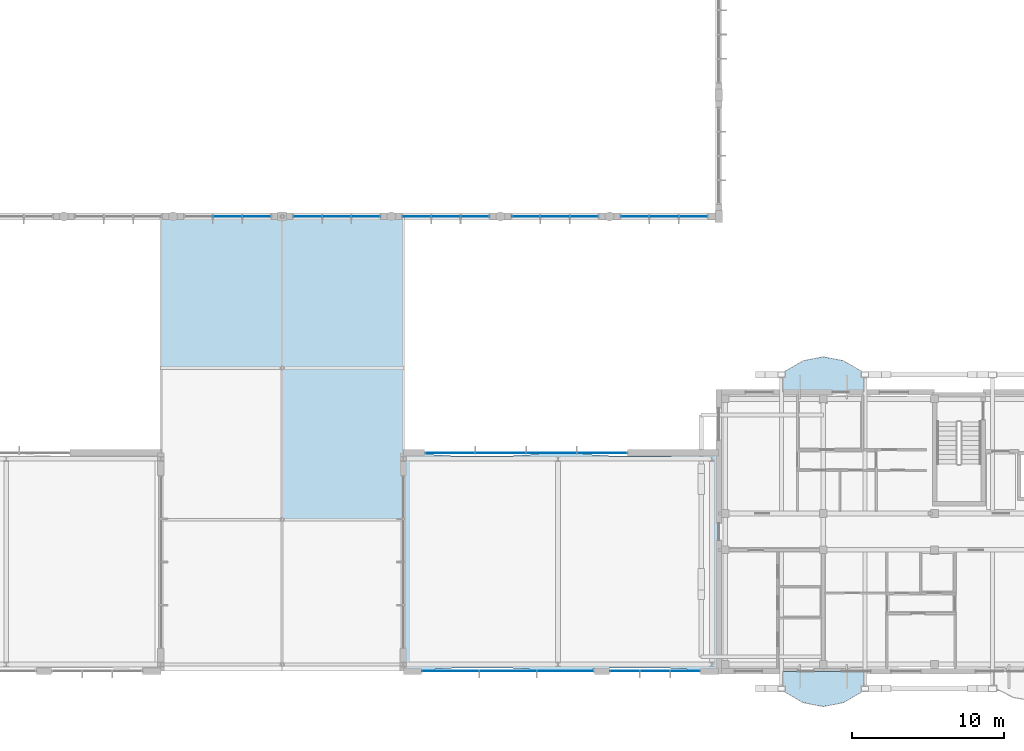
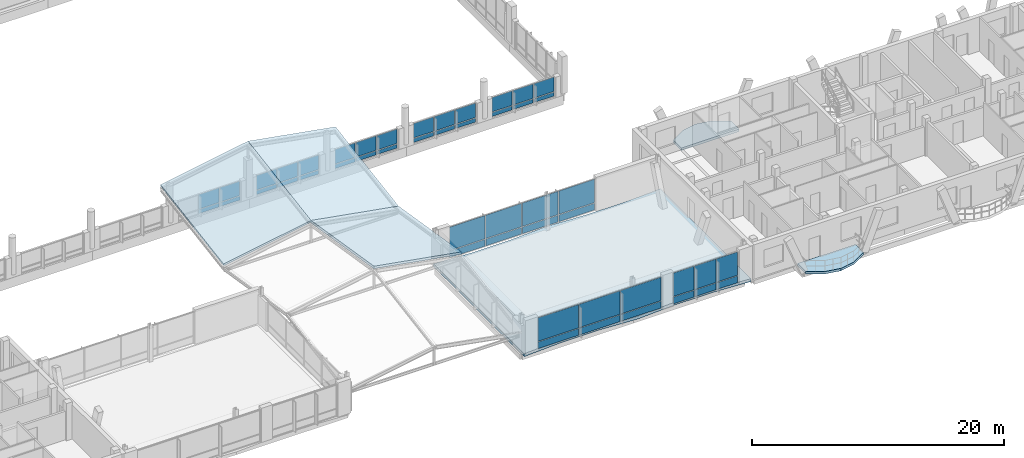
# One storey, part 126 of 189: 48 plates, 6 slabs, 8 elements without a shape of their own.
"""IFC4 building model written with IfcOpenShell, lengths in metres."""

import ifcopenshell
import ifcopenshell.guid

model = None  # the IFC model being written
_history = None  # IfcOwnerHistory: only IFC2X3 demands one
_inside = {}  # id of a spatial element -> (the spatial element, [elements in it])
_under = {}  # id of a project, library or spatial element -> (it, [spatial elements below it])
_declared = {}  # id of a project -> (the project, [libraries it declares])
_typed = {}  # id of a type object -> (the type object, [elements of that type])
_made_of = {}  # id of a material, layer set ... -> (it, [elements and type objects made of it])


def new_model(schema):
    """Start an empty IFC model of exactly this schema.

    Asked for "IFC4X3", IfcOpenShell would pick the latest addendum, in which some entities
    have other attributes; the version numbers below select the first issue.
    IFC2X3 requires an IfcOwnerHistory on every rooted entity: one is made here for all.
    """
    global model, _history
    if schema == "IFC4X3":
        model = ifcopenshell.file(schema_version=(4, 3, 0, 0))
    else:
        model = ifcopenshell.file(schema=schema)
    _inside.clear()
    _under.clear()
    _declared.clear()
    _typed.clear()
    _made_of.clear()
    _history = None
    if model.schema == "IFC2X3":
        org = make("IfcOrganization", Name="unknown")
        user = make(
            "IfcPersonAndOrganization",
            ThePerson=make("IfcPerson", FamilyName="unknown"),
            TheOrganization=org,
        )
        app = make(
            "IfcApplication",
            ApplicationDeveloper=org,
            Version="unknown",
            ApplicationFullName="unknown",
            ApplicationIdentifier="unknown",
        )
        _history = make(
            "IfcOwnerHistory",
            OwningUser=user,
            OwningApplication=app,
            ChangeAction="ADDED",
            CreationDate=0,
        )
    return model


def make(cls, **values):
    """One entity of the class cls with the attributes given. An attribute that is None is left unset."""
    return model.create_entity(
        cls, **{name: value for name, value in values.items() if value is not None}
    )


def rooted(cls, **values):
    """An entity with a GlobalId (a new one), such as an element, a storey or a relation."""
    return make(cls, GlobalId=ifcopenshell.guid.new(), OwnerHistory=_history, **values)


def si_unit(unit_type, name, prefix=None):
    """IfcSIUnit, for example si_unit("LENGTHUNIT", "METRE", prefix="MILLI")."""
    return make("IfcSIUnit", UnitType=unit_type, Prefix=prefix, Name=name)


def assignment(units):
    """IfcUnitAssignment: the units of a project."""
    return None if units is None else make("IfcUnitAssignment", Units=units)


def point(xyz):
    """IfcCartesianPoint."""
    return None if xyz is None else make("IfcCartesianPoint", Coordinates=xyz)


def direction(xyz):
    """IfcDirection."""
    return None if xyz is None else make("IfcDirection", DirectionRatios=xyz)


def frame(location, z_axis=None, x_axis=None):
    """IfcAxis2Placement3D, a coordinate frame: its origin and axes. An axis left out is left unset."""
    return make(
        "IfcAxis2Placement3D",
        Location=point(location),
        Axis=direction(z_axis),
        RefDirection=direction(x_axis),
    )


def frame_2d(location, x_axis=None):
    """IfcAxis2Placement2D, a coordinate frame in the plane: its origin and x axis."""
    return make(
        "IfcAxis2Placement2D", Location=point(location), RefDirection=direction(x_axis)
    )


def origin():
    """The frame at (0, 0, 0) with its axes left unset."""
    return frame((0.0, 0.0, 0.0))


def origin_2d():
    """The frame at (0, 0) in the plane with its x axis left unset."""
    return frame_2d((0.0, 0.0))


def place(relative_to, where):
    """IfcLocalPlacement: puts the frame where relative to a parent placement (None: the world)."""
    return make(
        "IfcLocalPlacement", PlacementRelTo=relative_to, RelativePlacement=where
    )


def context(
    kind, dimensions, precision=None, world=None, true_north=None, identifier=None
):
    """IfcGeometricRepresentationContext, for example the 3D "Model" context."""
    return make(
        "IfcGeometricRepresentationContext",
        ContextIdentifier=identifier,
        ContextType=kind,
        CoordinateSpaceDimension=dimensions,
        Precision=precision,
        WorldCoordinateSystem=world,
        TrueNorth=true_north,
    )


def subcontext(parent, identifier, kind, view, scale=None):
    """IfcGeometricRepresentationSubContext, for example "Body" below "Model"."""
    return make(
        "IfcGeometricRepresentationSubContext",
        ContextIdentifier=identifier,
        ContextType=kind,
        ParentContext=parent,
        TargetScale=scale,
        TargetView=view,
    )


def project(units=None, contexts=None):
    """IfcProject with its units and contexts."""
    return rooted(
        "IfcProject",
        Name="project",
        RepresentationContexts=contexts,
        UnitsInContext=assignment(units),
    )


def spatial(cls, under=None, at=None, **own):
    """A site, building, storey or space (cls), placed at a placement, below another one or the project."""
    s = rooted(cls, ObjectPlacement=at, **own)
    if under is not None:
        _under.setdefault(under.id(), (under, []))[1].append(s)
    return s


def polyline(points):
    """IfcPolyline through the points."""
    return make("IfcPolyline", Points=[point(p) for p in points])


def profile(cls, at=None, kind="AREA", **sizes):
    """A parametric profile (cls). Its sizes go by their IFC names, for example OverallWidth=200.0."""
    return make(cls, ProfileType=kind, Position=at, **sizes)


def rectangle(**sizes):
    """IfcRectangleProfileDef."""
    return profile("IfcRectangleProfileDef", **sizes)


def outline(outer, holes=None, kind="AREA"):
    """IfcArbitraryClosedProfileDef: a profile drawn as a closed curve; with holes, ...WithVoids."""
    if holes is None:
        return make("IfcArbitraryClosedProfileDef", ProfileType=kind, OuterCurve=outer)
    return make(
        "IfcArbitraryProfileDefWithVoids",
        ProfileType=kind,
        OuterCurve=outer,
        InnerCurves=holes,
    )


def extrude(swept, where, along, depth):
    """IfcExtrudedAreaSolid: the profile swept, set in the frame where, extruded along a direction by depth."""
    return make(
        "IfcExtrudedAreaSolid",
        SweptArea=swept,
        Position=where,
        ExtrudedDirection=direction(along),
        Depth=depth,
    )


def shape(context_of_items, identifier, shape_type, items):
    """IfcShapeRepresentation: the items that make up one representation, for example the "Body"."""
    return make(
        "IfcShapeRepresentation",
        ContextOfItems=context_of_items,
        RepresentationIdentifier=identifier,
        RepresentationType=shape_type,
        Items=items,
    )


def material(Name=None, Category=None):
    """IfcMaterial."""
    return make("IfcMaterial", Name=Name, Category=Category)


def layer(
    of_material, thickness, ventilated=None, Name=None, Category=None, Priority=None
):
    """IfcMaterialLayer: one layer of a wall or slab, of a material (None: an air gap)."""
    return make(
        "IfcMaterialLayer",
        Material=of_material,
        LayerThickness=thickness,
        IsVentilated=ventilated,
        Name=Name,
        Category=Category,
        Priority=Priority,
    )


def layer_set(layers, Name=None):
    """IfcMaterialLayerSet."""
    return make("IfcMaterialLayerSet", MaterialLayers=layers, LayerSetName=Name)


def made_of(thing, what):
    """Note that an element or type object is made of a material, layer set ...; save() writes the relation."""
    if what is not None:
        _made_of.setdefault(what.id(), (what, []))[1].append(thing)
    return thing


def type_object(cls, material=None, **own):
    """A type object (cls), such as IfcWallType, which elements share."""
    return made_of(rooted(cls, **own), material)


def element(
    cls,
    number,
    at=None,
    inside=None,
    cuts=None,
    type_object=None,
    material=None,
    context=None,
    identifier="Body",
    shape_type=None,
    held_by="IfcProductDefinitionShape",
    body=None,
    shapes=None,
    **own,
):
    """One element of the class cls, such as IfcWall. Its Tag is "e" and its number.

    at: its placement. inside: the storey or other place that contains it. cuts: it is an
    opening in that element (IfcRelVoidsElement). A single representation is given by context,
    identifier, shape_type and body (its items); several are given by shapes. held_by: the class
    of the entity that holds the representations. save() writes the other relations.
    """
    e = rooted(cls, Tag="e%d" % number, ObjectPlacement=at, **own)
    if body is not None:
        shapes = [shape(context, identifier, shape_type, body)]
    if shapes is not None:
        e.Representation = make(held_by, Representations=shapes)
    if inside is not None:
        _inside.setdefault(inside.id(), (inside, []))[1].append(e)
    if cuts is not None:
        rooted(
            "IfcRelVoidsElement", RelatingBuildingElement=cuts, RelatedOpeningElement=e
        )
    if type_object is not None:
        _typed.setdefault(type_object.id(), (type_object, []))[1].append(e)
    return made_of(e, material)


def aggregate(whole, parts):
    """IfcRelAggregates: a whole, such as a stair, and the parts it consists of."""
    return rooted("IfcRelAggregates", RelatingObject=whole, RelatedObjects=parts)


def save(model, path):
    """Write the relations noted so far, then the file.

    IfcRelAggregates (storeys below a building ...), IfcRelContainedInSpatialStructure (elements
    in a storey), IfcRelDefinesByType, IfcRelAssociatesMaterial and IfcRelDeclares: one each for
    every whole, place, type object, material and project.
    """
    for whole, parts in _under.values():
        aggregate(whole, parts)
    for where, things in _inside.values():
        rooted(
            "IfcRelContainedInSpatialStructure",
            RelatedElements=things,
            RelatingStructure=where,
        )
    for kind, things in _typed.values():
        rooted("IfcRelDefinesByType", RelatedObjects=things, RelatingType=kind)
    for what, things in _made_of.values():
        rooted("IfcRelAssociatesMaterial", RelatedObjects=things, RelatingMaterial=what)
    for by, libraries in _declared.values():
        rooted("IfcRelDeclares", RelatingContext=by, RelatedDefinitions=libraries)
    model.write(path)


model = new_model("IFC4")

# Units and contexts
model_context = context("Model", 3, precision=1e-05, world=origin(), true_north=direction((0.0, 1.0)))
body_context = subcontext(model_context, "Body", "Model", "MODEL_VIEW")
ifc_project = project(units=[si_unit("LENGTHUNIT", "METRE"), si_unit("AREAUNIT", "SQUARE_METRE"), si_unit("VOLUMEUNIT", "CUBIC_METRE"), si_unit("PLANEANGLEUNIT", "RADIAN"), si_unit("MASSUNIT", "GRAM", prefix="KILO")], contexts=[model_context])

# Site, building, storey
site_placement = place(None, origin())
site = spatial("IfcSite", under=ifc_project, at=site_placement, CompositionType="ELEMENT")
building_placement = place(site_placement, origin())
building = spatial("IfcBuilding", under=site, at=building_placement, Name="Zavelmont Quarter", CompositionType="ELEMENT")
storey_placement = place(building_placement, frame((0.0, 0.0, 4.39990234375)))
storey = spatial("IfcBuildingStorey", under=building, at=storey_placement, Name="L01", CompositionType="ELEMENT", Elevation=4.39990234375)

# Curtain wall, plate
ifc_material_1 = material(Name="Thermally broken aluminium and double low-E safety glazing", Category="aluminium")
curtain_wall_type_1 = type_object("IfcCurtainWallType", Name="CW-580X198", PredefinedType="NOTDEFINED", material=ifc_material_1)
curtain_wall_1_placement = place(storey_placement, origin())
curtain_wall_1 = element("IfcCurtainWall", 1, at=curtain_wall_1_placement, inside=storey, type_object=curtain_wall_type_1, Name="L01 unitised curtain wall CW-580X198", PredefinedType="NOTDEFINED")
ifc_material_2 = material(Name="Insulated anodised-aluminium spandrel panel", Category="aluminium")
ifc_layer_1 = layer(ifc_material_2, 0.0400390625)
ifc_layer_set_1 = layer_set([ifc_layer_1], Name="Insulated anodised-aluminium spandrel panel")
plate_type_1 = type_object("IfcPlateType", Name="CWP-SPD-1830X370", PredefinedType="CURTAIN_PANEL", material=ifc_layer_set_1)
plate_1_placement = place(storey_placement, frame((82.31591796875, 30.0, -0.2099609375), z_axis=(0.0, 0.0, 1.0), x_axis=(1.0, 0.0, 0.0)))
plate_1 = element("IfcPlate", 2, at=plate_1_placement, type_object=plate_type_1, Name="CW-580X198 panel 3.1", PredefinedType="CURTAIN_PANEL", context=body_context, shape_type="SweptSolid", body=[
    extrude(rectangle(XDim=1.828369140625, YDim=0.0400390625, at=origin_2d()), origin(), (0.0, 0.0, 1.0), 0.368896484375),
])

# Curtain wall, plates
curtain_wall_2_placement = place(storey_placement, origin())
curtain_wall_2 = element("IfcCurtainWall", 3, at=curtain_wall_2_placement, inside=storey, type_object=curtain_wall_type_1, Name="L01 unitised curtain wall CW-580X198", PredefinedType="NOTDEFINED")
plate_2_placement = place(storey_placement, frame((85.68408203125, 30.0, -0.2099609375), z_axis=(0.0, 0.0, 1.0), x_axis=(1.0, 0.0, 0.0)))
plate_2 = element("IfcPlate", 4, at=plate_2_placement, type_object=plate_type_1, Name="CW-580X198 panel 1.1", PredefinedType="CURTAIN_PANEL", context=body_context, shape_type="SweptSolid", body=[
    extrude(rectangle(XDim=1.828369140625, YDim=0.0400390625, at=origin_2d()), origin(), (0.0, 0.0, 1.0), 0.368896484375),
])
plate_3_placement = place(storey_placement, frame((89.515869140625, 30.0, -0.2099609375), z_axis=(0.0, 0.0, 1.0), x_axis=(1.0, 0.0, 0.0)))
plate_3 = element("IfcPlate", 5, at=plate_3_placement, type_object=plate_type_1, Name="CW-580X198 panel 3.1", PredefinedType="CURTAIN_PANEL", context=body_context, shape_type="SweptSolid", body=[
    extrude(rectangle(XDim=1.828369140625, YDim=0.0400390625, at=origin_2d()), origin(), (0.0, 0.0, 1.0), 0.368896484375),
])

curtain_wall_3_placement = place(storey_placement, origin())
curtain_wall_3 = element("IfcCurtainWall", 6, at=curtain_wall_3_placement, inside=storey, type_object=curtain_wall_type_1, Name="L01 unitised curtain wall CW-580X198", PredefinedType="NOTDEFINED")
plate_4_placement = place(storey_placement, frame((92.88427734375, 30.0, -0.2099609375), z_axis=(0.0, 0.0, 1.0), x_axis=(1.0, 0.0, 0.0)))
plate_4 = element("IfcPlate", 7, at=plate_4_placement, type_object=plate_type_1, Name="CW-580X198 panel 1.1", PredefinedType="CURTAIN_PANEL", context=body_context, shape_type="SweptSolid", body=[
    extrude(rectangle(XDim=1.828369140625, YDim=0.0400390625, at=origin_2d()), origin(), (0.0, 0.0, 1.0), 0.368896484375),
])
plate_5_placement = place(storey_placement, frame((96.7158203125, 30.0, -0.2099609375), z_axis=(0.0, 0.0, 1.0), x_axis=(1.0, 0.0, 0.0)))
plate_5 = element("IfcPlate", 8, at=plate_5_placement, type_object=plate_type_1, Name="CW-580X198 panel 3.1", PredefinedType="CURTAIN_PANEL", context=body_context, shape_type="SweptSolid", body=[
    extrude(rectangle(XDim=1.828369140625, YDim=0.0400390625, at=origin_2d()), origin(), (0.0, 0.0, 1.0), 0.368896484375),
])

curtain_wall_4_placement = place(storey_placement, origin())
curtain_wall_4 = element("IfcCurtainWall", 9, at=curtain_wall_4_placement, inside=storey, type_object=curtain_wall_type_1, Name="L01 unitised curtain wall CW-580X198", PredefinedType="NOTDEFINED")
plate_6_placement = place(storey_placement, frame((100.084228515625, 30.0, -0.2099609375), z_axis=(0.0, 0.0, 1.0), x_axis=(1.0, 0.0, 0.0)))
plate_6 = element("IfcPlate", 10, at=plate_6_placement, type_object=plate_type_1, Name="CW-580X198 panel 1.1", PredefinedType="CURTAIN_PANEL", context=body_context, shape_type="SweptSolid", body=[
    extrude(rectangle(XDim=1.828369140625, YDim=0.0400390625, at=origin_2d()), origin(), (0.0, 0.0, 1.0), 0.368896484375),
])
plate_7_placement = place(storey_placement, frame((103.915771484375, 30.0, -0.2099609375), z_axis=(0.0, 0.0, 1.0), x_axis=(1.0, 0.0, 0.0)))
plate_7 = element("IfcPlate", 11, at=plate_7_placement, type_object=plate_type_1, Name="CW-580X198 panel 3.1", PredefinedType="CURTAIN_PANEL", context=body_context, shape_type="SweptSolid", body=[
    extrude(rectangle(XDim=1.828369140625, YDim=0.0400390625, at=origin_2d()), origin(), (0.0, 0.0, 1.0), 0.368896484375),
])

curtain_wall_5_placement = place(storey_placement, origin())
curtain_wall_5 = element("IfcCurtainWall", 12, at=curtain_wall_5_placement, inside=storey, type_object=curtain_wall_type_1, Name="L01 unitised curtain wall CW-580X198", PredefinedType="NOTDEFINED")
plate_8_placement = place(storey_placement, frame((107.2841796875, 30.0, -0.2099609375), z_axis=(0.0, 0.0, 1.0), x_axis=(1.0, 0.0, 0.0)))
plate_8 = element("IfcPlate", 13, at=plate_8_placement, type_object=plate_type_1, Name="CW-580X198 panel 1.1", PredefinedType="CURTAIN_PANEL", context=body_context, shape_type="SweptSolid", body=[
    extrude(rectangle(XDim=1.828369140625, YDim=0.0400390625, at=origin_2d()), origin(), (0.0, 0.0, 1.0), 0.368896484375),
])
plate_9_placement = place(storey_placement, frame((111.11572265625, 30.0, -0.2099609375), z_axis=(0.0, 0.0, 1.0), x_axis=(1.0, 0.0, 0.0)))
plate_9 = element("IfcPlate", 14, at=plate_9_placement, type_object=plate_type_1, Name="CW-580X198 panel 3.1", PredefinedType="CURTAIN_PANEL", context=body_context, shape_type="SweptSolid", body=[
    extrude(rectangle(XDim=1.828369140625, YDim=0.0400390625, at=origin_2d()), origin(), (0.0, 0.0, 1.0), 0.368896484375),
])

# Plate
ifc_layer_2 = layer(ifc_material_2, 0.0400390625)
ifc_layer_set_2 = layer_set([ifc_layer_2], Name="Insulated anodised-aluminium spandrel panel")
plate_type_2 = type_object("IfcPlateType", Name="CWP-SPD-1865X370", PredefinedType="CURTAIN_PANEL", material=ifc_layer_set_2)
plate_10_placement = place(storey_placement, frame((80.39990234375, 30.0, -0.2099609375), z_axis=(0.0, 0.0, 1.0), x_axis=(1.0, 0.0, 0.0)))
plate_10 = element("IfcPlate", 15, at=plate_10_placement, type_object=plate_type_2, Name="CW-580X198 panel 2.1", PredefinedType="CURTAIN_PANEL", context=body_context, shape_type="SweptSolid", body=[
    extrude(rectangle(XDim=1.86328125, YDim=0.0400390625, at=origin_2d()), origin(), (0.0, 0.0, 1.0), 0.368896484375),
])

plate_11_placement = place(storey_placement, frame((87.60009765625, 30.0, -0.2099609375), z_axis=(0.0, 0.0, 1.0), x_axis=(1.0, 0.0, 0.0)))
plate_11 = element("IfcPlate", 16, at=plate_11_placement, type_object=plate_type_2, Name="CW-580X198 panel 2.1", PredefinedType="CURTAIN_PANEL", context=body_context, shape_type="SweptSolid", body=[
    extrude(rectangle(XDim=1.86328125, YDim=0.0400390625, at=origin_2d()), origin(), (0.0, 0.0, 1.0), 0.368896484375),
])

plate_12_placement = place(storey_placement, frame((94.800048828125, 30.0, -0.2099609375), z_axis=(0.0, 0.0, 1.0), x_axis=(1.0, 0.0, 0.0)))
plate_12 = element("IfcPlate", 17, at=plate_12_placement, type_object=plate_type_2, Name="CW-580X198 panel 2.1", PredefinedType="CURTAIN_PANEL", context=body_context, shape_type="SweptSolid", body=[
    extrude(rectangle(XDim=1.86328125, YDim=0.0400390625, at=origin_2d()), origin(), (0.0, 0.0, 1.0), 0.368896484375),
])

plate_13_placement = place(storey_placement, frame((102.0, 30.0, -0.2099609375), z_axis=(0.0, 0.0, 1.0), x_axis=(1.0, 0.0, 0.0)))
plate_13 = element("IfcPlate", 18, at=plate_13_placement, type_object=plate_type_2, Name="CW-580X198 panel 2.1", PredefinedType="CURTAIN_PANEL", context=body_context, shape_type="SweptSolid", body=[
    extrude(rectangle(XDim=1.86328125, YDim=0.0400390625, at=origin_2d()), origin(), (0.0, 0.0, 1.0), 0.368896484375),
])

plate_14_placement = place(storey_placement, frame((109.199951171875, 30.0, -0.2099609375), z_axis=(0.0, 0.0, 1.0), x_axis=(1.0, 0.0, 0.0)))
plate_14 = element("IfcPlate", 19, at=plate_14_placement, type_object=plate_type_2, Name="CW-580X198 panel 2.1", PredefinedType="CURTAIN_PANEL", context=body_context, shape_type="SweptSolid", body=[
    extrude(rectangle(XDim=1.86328125, YDim=0.0400390625, at=origin_2d()), origin(), (0.0, 0.0, 1.0), 0.368896484375),
])

# Curtain wall, plates
curtain_wall_type_2 = type_object("IfcCurtainWallType", Name="CW-600X310", PredefinedType="NOTDEFINED", material=ifc_material_1)
curtain_wall_6_placement = place(storey_placement, origin())
curtain_wall_6 = element("IfcCurtainWall", 20, at=curtain_wall_6_placement, inside=storey, type_object=curtain_wall_type_2, Name="L01 unitised curtain wall CW-600X310", PredefinedType="NOTDEFINED")
ifc_layer_3 = layer(ifc_material_2, 0.0400390625)
ifc_layer_set_3 = layer_set([ifc_layer_3], Name="Insulated anodised-aluminium spandrel panel")
plate_type_3 = type_object("IfcPlateType", Name="CWP-SPD-1910X655", PredefinedType="CURTAIN_PANEL", material=ifc_layer_set_3)
plate_15_placement = place(storey_placement, frame((106.614990234375, 0.0, 0.06005859375), z_axis=(0.0, 0.0, 1.0), x_axis=(1.0, 0.0, 0.0)))
plate_15 = element("IfcPlate", 21, at=plate_15_placement, type_object=plate_type_3, Name="CW-600X310 panel 1.1", PredefinedType="CURTAIN_PANEL", context=body_context, shape_type="SweptSolid", body=[
    extrude(rectangle(XDim=1.909912109375, YDim=0.0400390625, at=origin_2d()), origin(), (0.0, 0.0, 1.0), 0.654052734375),
])
plate_16_placement = place(storey_placement, frame((110.5849609375, 0.0, 0.06005859375), z_axis=(0.0, 0.0, 1.0), x_axis=(1.0, 0.0, 0.0)))
plate_16 = element("IfcPlate", 22, at=plate_16_placement, type_object=plate_type_3, Name="CW-600X310 panel 3.1", PredefinedType="CURTAIN_PANEL", context=body_context, shape_type="SweptSolid", body=[
    extrude(rectangle(XDim=1.909912109375, YDim=0.0400390625, at=origin_2d()), origin(), (0.0, 0.0, 1.0), 0.654052734375),
])
ifc_layer_4 = layer(ifc_material_2, 0.0400390625)
ifc_layer_set_4 = layer_set([ifc_layer_4], Name="Insulated anodised-aluminium spandrel panel")
plate_type_4 = type_object("IfcPlateType", Name="CWP-SPD-1940X655", PredefinedType="CURTAIN_PANEL", material=ifc_layer_set_4)
plate_17_placement = place(storey_placement, frame((108.60009765625, 0.0, 0.06005859375), z_axis=(0.0, 0.0, 1.0), x_axis=(1.0, 0.0, 0.0)))
plate_17 = element("IfcPlate", 23, at=plate_17_placement, type_object=plate_type_4, Name="CW-600X310 panel 2.1", PredefinedType="CURTAIN_PANEL", context=body_context, shape_type="SweptSolid", body=[
    extrude(rectangle(XDim=1.93994140625, YDim=0.0400390625, at=origin_2d()), origin(), (0.0, 0.0, 1.0), 0.654052734375),
])

curtain_wall_type_3 = type_object("IfcCurtainWallType", Name="CW-1340X310", PredefinedType="NOTDEFINED", material=ifc_material_1)
curtain_wall_7_placement = place(storey_placement, origin())
curtain_wall_7 = element("IfcCurtainWall", 24, at=curtain_wall_7_placement, inside=storey, type_object=curtain_wall_type_3, Name="L01 unitised curtain wall CW-1340X310", PredefinedType="NOTDEFINED")
ifc_layer_5 = layer(ifc_material_2, 0.0400390625)
ifc_layer_set_5 = layer_set([ifc_layer_5], Name="Insulated anodised-aluminium spandrel panel")
plate_type_5 = type_object("IfcPlateType", Name="CWP-SPD-3260X655", PredefinedType="CURTAIN_PANEL", material=ifc_layer_set_5)
plate_18_placement = place(storey_placement, frame((95.090087890625, 14.39990234375, 0.06005859375), z_axis=(0.0, 0.0, 1.0), x_axis=(1.0, 0.0, 0.0)))
plate_18 = element("IfcPlate", 25, at=plate_18_placement, type_object=plate_type_5, Name="CW-1340X310 panel 1.1", PredefinedType="CURTAIN_PANEL", context=body_context, shape_type="SweptSolid", body=[
    extrude(rectangle(XDim=3.260009765625, YDim=0.0400390625, at=origin_2d()), origin(), (0.0, 0.0, 1.0), 0.654052734375),
])
plate_19_placement = place(storey_placement, frame((105.110107421875, 14.39990234375, 0.06005859375), z_axis=(0.0, 0.0, 1.0), x_axis=(1.0, 0.0, 0.0)))
plate_19 = element("IfcPlate", 26, at=plate_19_placement, type_object=plate_type_5, Name="CW-1340X310 panel 4.1", PredefinedType="CURTAIN_PANEL", context=body_context, shape_type="SweptSolid", body=[
    extrude(rectangle(XDim=3.260009765625, YDim=0.0400390625, at=origin_2d()), origin(), (0.0, 0.0, 1.0), 0.654052734375),
])
ifc_layer_6 = layer(ifc_material_2, 0.0400390625)
ifc_layer_set_6 = layer_set([ifc_layer_6], Name="Insulated anodised-aluminium spandrel panel")
plate_type_6 = type_object("IfcPlateType", Name="CWP-SPD-3290X655", PredefinedType="CURTAIN_PANEL", material=ifc_layer_set_6)
plate_20_placement = place(storey_placement, frame((98.425048828125, 14.39990234375, 0.06005859375), z_axis=(0.0, 0.0, 1.0), x_axis=(1.0, 0.0, 0.0)))
plate_20 = element("IfcPlate", 27, at=plate_20_placement, type_object=plate_type_6, Name="CW-1340X310 panel 2.1", PredefinedType="CURTAIN_PANEL", context=body_context, shape_type="SweptSolid", body=[
    extrude(rectangle(XDim=3.2900390625, YDim=0.0400390625, at=origin_2d()), origin(), (0.0, 0.0, 1.0), 0.654052734375),
])
plate_21_placement = place(storey_placement, frame((101.77490234375, 14.39990234375, 0.06005859375), z_axis=(0.0, 0.0, 1.0), x_axis=(1.0, 0.0, 0.0)))
plate_21 = element("IfcPlate", 28, at=plate_21_placement, type_object=plate_type_6, Name="CW-1340X310 panel 3.1", PredefinedType="CURTAIN_PANEL", context=body_context, shape_type="SweptSolid", body=[
    extrude(rectangle(XDim=3.2900390625, YDim=0.0400390625, at=origin_2d()), origin(), (0.0, 0.0, 1.0), 0.654052734375),
])

curtain_wall_type_4 = type_object("IfcCurtainWallType", Name="CW-1140X310", PredefinedType="NOTDEFINED", material=ifc_material_1)
curtain_wall_8_placement = place(storey_placement, origin())
curtain_wall_8 = element("IfcCurtainWall", 29, at=curtain_wall_8_placement, inside=storey, type_object=curtain_wall_type_4, Name="L01 unitised curtain wall CW-1140X310", PredefinedType="NOTDEFINED")
ifc_layer_7 = layer(ifc_material_2, 0.0400390625)
ifc_layer_set_7 = layer_set([ifc_layer_7], Name="Insulated anodised-aluminium spandrel panel")
plate_type_7 = type_object("IfcPlateType", Name="CWP-SPD-3710X655", PredefinedType="CURTAIN_PANEL", material=ifc_layer_set_7)
plate_22_placement = place(storey_placement, frame((95.114990234375, 0.0, 0.06005859375), z_axis=(0.0, 0.0, 1.0), x_axis=(1.0, 0.0, 0.0)))
plate_22 = element("IfcPlate", 30, at=plate_22_placement, type_object=plate_type_7, Name="CW-1140X310 panel 1.1", PredefinedType="CURTAIN_PANEL", context=body_context, shape_type="SweptSolid", body=[
    extrude(rectangle(XDim=3.7099609375, YDim=0.0400390625, at=origin_2d()), origin(), (0.0, 0.0, 1.0), 0.654052734375),
])
plate_23_placement = place(storey_placement, frame((102.68505859375, 0.0, 0.06005859375), z_axis=(0.0, 0.0, 1.0), x_axis=(1.0, 0.0, 0.0)))
plate_23 = element("IfcPlate", 31, at=plate_23_placement, type_object=plate_type_7, Name="CW-1140X310 panel 3.1", PredefinedType="CURTAIN_PANEL", context=body_context, shape_type="SweptSolid", body=[
    extrude(rectangle(XDim=3.7099609375, YDim=0.0400390625, at=origin_2d()), origin(), (0.0, 0.0, 1.0), 0.654052734375),
])
ifc_layer_8 = layer(ifc_material_2, 0.0400390625)
ifc_layer_set_8 = layer_set([ifc_layer_8], Name="Insulated anodised-aluminium spandrel panel")
plate_type_8 = type_object("IfcPlateType", Name="CWP-SPD-3740X655", PredefinedType="CURTAIN_PANEL", material=ifc_layer_set_8)
plate_24_placement = place(storey_placement, frame((98.89990234375, 0.0, 0.06005859375), z_axis=(0.0, 0.0, 1.0), x_axis=(1.0, 0.0, 0.0)))
plate_24 = element("IfcPlate", 32, at=plate_24_placement, type_object=plate_type_8, Name="CW-1140X310 panel 2.1", PredefinedType="CURTAIN_PANEL", context=body_context, shape_type="SweptSolid", body=[
    extrude(rectangle(XDim=3.739990234375, YDim=0.0400390625, at=origin_2d()), origin(), (0.0, 0.0, 1.0), 0.654052734375),
])

# Plate
ifc_material_3 = material(Name="Double low-E insulated vision glass", Category="glass")
ifc_layer_9 = layer(ifc_material_3, 0.028076171875)
ifc_layer_set_9 = layer_set([ifc_layer_9], Name="Double low-E insulated vision glass")
plate_type_9 = type_object("IfcPlateType", Name="CWP-VIS-1830X1395", PredefinedType="CURTAIN_PANEL", material=ifc_layer_set_9)
plate_25_placement = place(storey_placement, frame((82.31591796875, 30.0, 0.22900390625), z_axis=(0.0, 0.0, 1.0), x_axis=(1.0, 0.0, 0.0)))
plate_25 = element("IfcPlate", 33, at=plate_25_placement, type_object=plate_type_9, Name="CW-580X198 panel 3.2", PredefinedType="CURTAIN_PANEL", context=body_context, shape_type="SweptSolid", body=[
    extrude(rectangle(XDim=1.828369140625, YDim=0.028076171875, at=origin_2d()), origin(), (0.0, 0.0, 1.0), 1.39599609375),
])

plate_26_placement = place(storey_placement, frame((85.68408203125, 30.0, 0.22900390625), z_axis=(0.0, 0.0, 1.0), x_axis=(1.0, 0.0, 0.0)))
plate_26 = element("IfcPlate", 34, at=plate_26_placement, type_object=plate_type_9, Name="CW-580X198 panel 1.2", PredefinedType="CURTAIN_PANEL", context=body_context, shape_type="SweptSolid", body=[
    extrude(rectangle(XDim=1.828369140625, YDim=0.028076171875, at=origin_2d()), origin(), (0.0, 0.0, 1.0), 1.39599609375),
])

plate_27_placement = place(storey_placement, frame((89.515869140625, 30.0, 0.22900390625), z_axis=(0.0, 0.0, 1.0), x_axis=(1.0, 0.0, 0.0)))
plate_27 = element("IfcPlate", 35, at=plate_27_placement, type_object=plate_type_9, Name="CW-580X198 panel 3.2", PredefinedType="CURTAIN_PANEL", context=body_context, shape_type="SweptSolid", body=[
    extrude(rectangle(XDim=1.828369140625, YDim=0.028076171875, at=origin_2d()), origin(), (0.0, 0.0, 1.0), 1.39599609375),
])

plate_28_placement = place(storey_placement, frame((92.88427734375, 30.0, 0.22900390625), z_axis=(0.0, 0.0, 1.0), x_axis=(1.0, 0.0, 0.0)))
plate_28 = element("IfcPlate", 36, at=plate_28_placement, type_object=plate_type_9, Name="CW-580X198 panel 1.2", PredefinedType="CURTAIN_PANEL", context=body_context, shape_type="SweptSolid", body=[
    extrude(rectangle(XDim=1.828369140625, YDim=0.028076171875, at=origin_2d()), origin(), (0.0, 0.0, 1.0), 1.39599609375),
])

plate_29_placement = place(storey_placement, frame((96.7158203125, 30.0, 0.22900390625), z_axis=(0.0, 0.0, 1.0), x_axis=(1.0, 0.0, 0.0)))
plate_29 = element("IfcPlate", 37, at=plate_29_placement, type_object=plate_type_9, Name="CW-580X198 panel 3.2", PredefinedType="CURTAIN_PANEL", context=body_context, shape_type="SweptSolid", body=[
    extrude(rectangle(XDim=1.828369140625, YDim=0.028076171875, at=origin_2d()), origin(), (0.0, 0.0, 1.0), 1.39599609375),
])

plate_30_placement = place(storey_placement, frame((100.084228515625, 30.0, 0.22900390625), z_axis=(0.0, 0.0, 1.0), x_axis=(1.0, 0.0, 0.0)))
plate_30 = element("IfcPlate", 38, at=plate_30_placement, type_object=plate_type_9, Name="CW-580X198 panel 1.2", PredefinedType="CURTAIN_PANEL", context=body_context, shape_type="SweptSolid", body=[
    extrude(rectangle(XDim=1.828369140625, YDim=0.028076171875, at=origin_2d()), origin(), (0.0, 0.0, 1.0), 1.39599609375),
])

plate_31_placement = place(storey_placement, frame((103.915771484375, 30.0, 0.22900390625), z_axis=(0.0, 0.0, 1.0), x_axis=(1.0, 0.0, 0.0)))
plate_31 = element("IfcPlate", 39, at=plate_31_placement, type_object=plate_type_9, Name="CW-580X198 panel 3.2", PredefinedType="CURTAIN_PANEL", context=body_context, shape_type="SweptSolid", body=[
    extrude(rectangle(XDim=1.828369140625, YDim=0.028076171875, at=origin_2d()), origin(), (0.0, 0.0, 1.0), 1.39599609375),
])

plate_32_placement = place(storey_placement, frame((107.2841796875, 30.0, 0.22900390625), z_axis=(0.0, 0.0, 1.0), x_axis=(1.0, 0.0, 0.0)))
plate_32 = element("IfcPlate", 40, at=plate_32_placement, type_object=plate_type_9, Name="CW-580X198 panel 1.2", PredefinedType="CURTAIN_PANEL", context=body_context, shape_type="SweptSolid", body=[
    extrude(rectangle(XDim=1.828369140625, YDim=0.028076171875, at=origin_2d()), origin(), (0.0, 0.0, 1.0), 1.39599609375),
])

plate_33_placement = place(storey_placement, frame((111.11572265625, 30.0, 0.22900390625), z_axis=(0.0, 0.0, 1.0), x_axis=(1.0, 0.0, 0.0)))
plate_33 = element("IfcPlate", 41, at=plate_33_placement, type_object=plate_type_9, Name="CW-580X198 panel 3.2", PredefinedType="CURTAIN_PANEL", context=body_context, shape_type="SweptSolid", body=[
    extrude(rectangle(XDim=1.828369140625, YDim=0.028076171875, at=origin_2d()), origin(), (0.0, 0.0, 1.0), 1.39599609375),
])

ifc_layer_10 = layer(ifc_material_3, 0.028076171875)
ifc_layer_set_10 = layer_set([ifc_layer_10], Name="Double low-E insulated vision glass")
plate_type_10 = type_object("IfcPlateType", Name="CWP-VIS-1865X1395", PredefinedType="CURTAIN_PANEL", material=ifc_layer_set_10)
plate_34_placement = place(storey_placement, frame((80.39990234375, 30.0, 0.22900390625), z_axis=(0.0, 0.0, 1.0), x_axis=(1.0, 0.0, 0.0)))
plate_34 = element("IfcPlate", 42, at=plate_34_placement, type_object=plate_type_10, Name="CW-580X198 panel 2.2", PredefinedType="CURTAIN_PANEL", context=body_context, shape_type="SweptSolid", body=[
    extrude(rectangle(XDim=1.86328125, YDim=0.028076171875, at=origin_2d()), origin(), (0.0, 0.0, 1.0), 1.39599609375),
])

aggregate(curtain_wall_1, [plate_10, plate_34, plate_1, plate_25])

plate_35_placement = place(storey_placement, frame((87.60009765625, 30.0, 0.22900390625), z_axis=(0.0, 0.0, 1.0), x_axis=(1.0, 0.0, 0.0)))
plate_35 = element("IfcPlate", 43, at=plate_35_placement, type_object=plate_type_10, Name="CW-580X198 panel 2.2", PredefinedType="CURTAIN_PANEL", context=body_context, shape_type="SweptSolid", body=[
    extrude(rectangle(XDim=1.86328125, YDim=0.028076171875, at=origin_2d()), origin(), (0.0, 0.0, 1.0), 1.39599609375),
])

aggregate(curtain_wall_2, [plate_2, plate_26, plate_11, plate_35, plate_3, plate_27])

plate_36_placement = place(storey_placement, frame((94.800048828125, 30.0, 0.22900390625), z_axis=(0.0, 0.0, 1.0), x_axis=(1.0, 0.0, 0.0)))
plate_36 = element("IfcPlate", 44, at=plate_36_placement, type_object=plate_type_10, Name="CW-580X198 panel 2.2", PredefinedType="CURTAIN_PANEL", context=body_context, shape_type="SweptSolid", body=[
    extrude(rectangle(XDim=1.86328125, YDim=0.028076171875, at=origin_2d()), origin(), (0.0, 0.0, 1.0), 1.39599609375),
])

aggregate(curtain_wall_3, [plate_4, plate_28, plate_12, plate_36, plate_5, plate_29])

plate_37_placement = place(storey_placement, frame((102.0, 30.0, 0.22900390625), z_axis=(0.0, 0.0, 1.0), x_axis=(1.0, 0.0, 0.0)))
plate_37 = element("IfcPlate", 45, at=plate_37_placement, type_object=plate_type_10, Name="CW-580X198 panel 2.2", PredefinedType="CURTAIN_PANEL", context=body_context, shape_type="SweptSolid", body=[
    extrude(rectangle(XDim=1.86328125, YDim=0.028076171875, at=origin_2d()), origin(), (0.0, 0.0, 1.0), 1.39599609375),
])

aggregate(curtain_wall_4, [plate_6, plate_30, plate_13, plate_37, plate_7, plate_31])

plate_38_placement = place(storey_placement, frame((109.199951171875, 30.0, 0.22900390625), z_axis=(0.0, 0.0, 1.0), x_axis=(1.0, 0.0, 0.0)))
plate_38 = element("IfcPlate", 46, at=plate_38_placement, type_object=plate_type_10, Name="CW-580X198 panel 2.2", PredefinedType="CURTAIN_PANEL", context=body_context, shape_type="SweptSolid", body=[
    extrude(rectangle(XDim=1.86328125, YDim=0.028076171875, at=origin_2d()), origin(), (0.0, 0.0, 1.0), 1.39599609375),
])

aggregate(curtain_wall_5, [plate_8, plate_32, plate_14, plate_38, plate_9, plate_33])

ifc_layer_11 = layer(ifc_material_3, 0.028076171875)
ifc_layer_set_11 = layer_set([ifc_layer_11], Name="Double low-E insulated vision glass")
plate_type_11 = type_object("IfcPlateType", Name="CWP-VIS-1910X2265", PredefinedType="CURTAIN_PANEL", material=ifc_layer_set_11)
plate_39_placement = place(storey_placement, frame((106.614990234375, 0.0, 0.77392578125), z_axis=(0.0, 0.0, 1.0), x_axis=(1.0, 0.0, 0.0)))
plate_39 = element("IfcPlate", 47, at=plate_39_placement, type_object=plate_type_11, Name="CW-600X310 panel 1.2", PredefinedType="CURTAIN_PANEL", context=body_context, shape_type="SweptSolid", body=[
    extrude(rectangle(XDim=1.909912109375, YDim=0.028076171875, at=origin_2d()), origin(), (0.0, 0.0, 1.0), 2.26611328125),
])

plate_40_placement = place(storey_placement, frame((110.5849609375, 0.0, 0.77392578125), z_axis=(0.0, 0.0, 1.0), x_axis=(1.0, 0.0, 0.0)))
plate_40 = element("IfcPlate", 48, at=plate_40_placement, type_object=plate_type_11, Name="CW-600X310 panel 3.2", PredefinedType="CURTAIN_PANEL", context=body_context, shape_type="SweptSolid", body=[
    extrude(rectangle(XDim=1.909912109375, YDim=0.028076171875, at=origin_2d()), origin(), (0.0, 0.0, 1.0), 2.26611328125),
])

ifc_layer_12 = layer(ifc_material_3, 0.028076171875)
ifc_layer_set_12 = layer_set([ifc_layer_12], Name="Double low-E insulated vision glass")
plate_type_12 = type_object("IfcPlateType", Name="CWP-VIS-1940X2265", PredefinedType="CURTAIN_PANEL", material=ifc_layer_set_12)
plate_41_placement = place(storey_placement, frame((108.60009765625, 0.0, 0.77392578125), z_axis=(0.0, 0.0, 1.0), x_axis=(1.0, 0.0, 0.0)))
plate_41 = element("IfcPlate", 49, at=plate_41_placement, type_object=plate_type_12, Name="CW-600X310 panel 2.2", PredefinedType="CURTAIN_PANEL", context=body_context, shape_type="SweptSolid", body=[
    extrude(rectangle(XDim=1.93994140625, YDim=0.028076171875, at=origin_2d()), origin(), (0.0, 0.0, 1.0), 2.26611328125),
])

aggregate(curtain_wall_6, [plate_15, plate_39, plate_17, plate_41, plate_16, plate_40])

ifc_layer_13 = layer(ifc_material_3, 0.028076171875)
ifc_layer_set_13 = layer_set([ifc_layer_13], Name="Double low-E insulated vision glass")
plate_type_13 = type_object("IfcPlateType", Name="CWP-VIS-3260X2265", PredefinedType="CURTAIN_PANEL", material=ifc_layer_set_13)
plate_42_placement = place(storey_placement, frame((95.090087890625, 14.39990234375, 0.77392578125), z_axis=(0.0, 0.0, 1.0), x_axis=(1.0, 0.0, 0.0)))
plate_42 = element("IfcPlate", 50, at=plate_42_placement, type_object=plate_type_13, Name="CW-1340X310 panel 1.2", PredefinedType="CURTAIN_PANEL", context=body_context, shape_type="SweptSolid", body=[
    extrude(rectangle(XDim=3.260009765625, YDim=0.028076171875, at=origin_2d()), origin(), (0.0, 0.0, 1.0), 2.26611328125),
])

plate_43_placement = place(storey_placement, frame((105.110107421875, 14.39990234375, 0.77392578125), z_axis=(0.0, 0.0, 1.0), x_axis=(1.0, 0.0, 0.0)))
plate_43 = element("IfcPlate", 51, at=plate_43_placement, type_object=plate_type_13, Name="CW-1340X310 panel 4.2", PredefinedType="CURTAIN_PANEL", context=body_context, shape_type="SweptSolid", body=[
    extrude(rectangle(XDim=3.260009765625, YDim=0.028076171875, at=origin_2d()), origin(), (0.0, 0.0, 1.0), 2.26611328125),
])

ifc_layer_14 = layer(ifc_material_3, 0.028076171875)
ifc_layer_set_14 = layer_set([ifc_layer_14], Name="Double low-E insulated vision glass")
plate_type_14 = type_object("IfcPlateType", Name="CWP-VIS-3290X2265", PredefinedType="CURTAIN_PANEL", material=ifc_layer_set_14)
plate_44_placement = place(storey_placement, frame((98.425048828125, 14.39990234375, 0.77392578125), z_axis=(0.0, 0.0, 1.0), x_axis=(1.0, 0.0, 0.0)))
plate_44 = element("IfcPlate", 52, at=plate_44_placement, type_object=plate_type_14, Name="CW-1340X310 panel 2.2", PredefinedType="CURTAIN_PANEL", context=body_context, shape_type="SweptSolid", body=[
    extrude(rectangle(XDim=3.2900390625, YDim=0.028076171875, at=origin_2d()), origin(), (0.0, 0.0, 1.0), 2.26611328125),
])

plate_45_placement = place(storey_placement, frame((101.77490234375, 14.39990234375, 0.77392578125), z_axis=(0.0, 0.0, 1.0), x_axis=(1.0, 0.0, 0.0)))
plate_45 = element("IfcPlate", 53, at=plate_45_placement, type_object=plate_type_14, Name="CW-1340X310 panel 3.2", PredefinedType="CURTAIN_PANEL", context=body_context, shape_type="SweptSolid", body=[
    extrude(rectangle(XDim=3.2900390625, YDim=0.028076171875, at=origin_2d()), origin(), (0.0, 0.0, 1.0), 2.26611328125),
])

aggregate(curtain_wall_7, [plate_18, plate_42, plate_20, plate_44, plate_21, plate_45, plate_19, plate_43])

ifc_layer_15 = layer(ifc_material_3, 0.028076171875)
ifc_layer_set_15 = layer_set([ifc_layer_15], Name="Double low-E insulated vision glass")
plate_type_15 = type_object("IfcPlateType", Name="CWP-VIS-3710X2265", PredefinedType="CURTAIN_PANEL", material=ifc_layer_set_15)
plate_46_placement = place(storey_placement, frame((95.114990234375, 0.0, 0.77392578125), z_axis=(0.0, 0.0, 1.0), x_axis=(1.0, 0.0, 0.0)))
plate_46 = element("IfcPlate", 54, at=plate_46_placement, type_object=plate_type_15, Name="CW-1140X310 panel 1.2", PredefinedType="CURTAIN_PANEL", context=body_context, shape_type="SweptSolid", body=[
    extrude(rectangle(XDim=3.7099609375, YDim=0.028076171875, at=origin_2d()), origin(), (0.0, 0.0, 1.0), 2.26611328125),
])

plate_47_placement = place(storey_placement, frame((102.68505859375, 0.0, 0.77392578125), z_axis=(0.0, 0.0, 1.0), x_axis=(1.0, 0.0, 0.0)))
plate_47 = element("IfcPlate", 55, at=plate_47_placement, type_object=plate_type_15, Name="CW-1140X310 panel 3.2", PredefinedType="CURTAIN_PANEL", context=body_context, shape_type="SweptSolid", body=[
    extrude(rectangle(XDim=3.7099609375, YDim=0.028076171875, at=origin_2d()), origin(), (0.0, 0.0, 1.0), 2.26611328125),
])

ifc_layer_16 = layer(ifc_material_3, 0.028076171875)
ifc_layer_set_16 = layer_set([ifc_layer_16], Name="Double low-E insulated vision glass")
plate_type_16 = type_object("IfcPlateType", Name="CWP-VIS-3740X2265", PredefinedType="CURTAIN_PANEL", material=ifc_layer_set_16)
plate_48_placement = place(storey_placement, frame((98.89990234375, 0.0, 0.77392578125), z_axis=(0.0, 0.0, 1.0), x_axis=(1.0, 0.0, 0.0)))
plate_48 = element("IfcPlate", 56, at=plate_48_placement, type_object=plate_type_16, Name="CW-1140X310 panel 2.2", PredefinedType="CURTAIN_PANEL", context=body_context, shape_type="SweptSolid", body=[
    extrude(rectangle(XDim=3.739990234375, YDim=0.028076171875, at=origin_2d()), origin(), (0.0, 0.0, 1.0), 2.26611328125),
])

aggregate(curtain_wall_8, [plate_22, plate_46, plate_24, plate_48, plate_23, plate_47])

# Slabs
ifc_material_4 = material(Name="Concrete C35/45", Category="concrete")
ifc_layer_17 = layer(ifc_material_4, 0.2099609375)
ifc_layer_set_17 = layer_set([ifc_layer_17], Name="Concrete C35/45")
slab_type_1 = type_object("IfcSlabType", Name="PSE2", PredefinedType="ROOF", material=ifc_layer_set_17)
slab_1_placement = place(storey_placement, frame((84.0, 10.0, 5.22509765625), z_axis=(0.171571548155, 0.158017662267, 0.972416383179), x_axis=(0.984788990656, 0.0, -0.17375455068)))
element("IfcSlab", 57, at=slab_1_placement, inside=storey, type_object=slab_type_1, Name="Sloped clerestory roof PSE2", PredefinedType="ROOF", context=body_context, shape_type="SweptSolid", body=[
    extrude(outline(polyline([(0.0, 0.0), (8.143896415723395, 0.0), (8.426247560578698, 10.127235695440236), (0.28235114485530316, 10.127235695440236), (0.0, 0.0)])), origin(), (0.0, 0.0, -1.0), 0.2099609375),
])
ifc_layer_18 = layer(ifc_material_4, 0.2099609375)
ifc_layer_set_18 = layer_set([ifc_layer_18], Name="Concrete C35/45")
slab_type_2 = type_object("IfcSlabType", Name="PSE3", PredefinedType="ROOF", material=ifc_layer_set_18)
slab_2_placement = place(storey_placement, frame((84.0, 20.0, 3.60009765625), z_axis=(0.171571548155, -0.158017662267, 0.972416383179), x_axis=(0.984788990656, 0.0, -0.17375455068)))
element("IfcSlab", 58, at=slab_2_placement, inside=storey, type_object=slab_type_2, Name="Sloped clerestory roof PSE3", PredefinedType="ROOF", context=body_context, shape_type="SweptSolid", body=[
    extrude(outline(polyline([(0.0, 0.0), (8.143896415723395, 0.0), (7.861545270868091, 10.127235695440236), (-0.28235114485530316, 10.127235695440236), (0.0, 0.0)])), origin(), (0.0, 0.0, -1.0), 0.2099609375),
])
ifc_layer_19 = layer(ifc_material_4, 0.2099609375)
ifc_layer_set_19 = layer_set([ifc_layer_19], Name="Concrete C35/45")
slab_type_3 = type_object("IfcSlabType", Name="PSW3", PredefinedType="ROOF", material=ifc_layer_set_19)
slab_3_placement = place(storey_placement, frame((75.97998046875, 20.0, 2.18505859375), z_axis=(-0.171571548155, -0.158017662267, 0.972416383179), x_axis=(0.984788990656, 0.0, 0.17375455068)))
element("IfcSlab", 59, at=slab_3_placement, inside=storey, type_object=slab_type_3, Name="Sloped clerestory roof PSW3", PredefinedType="ROOF", context=body_context, shape_type="SweptSolid", body=[
    extrude(outline(polyline([(0.0, 0.0), (8.143896415723395, 0.0), (8.426247560578698, 10.127235695440236), (0.28235114485530316, 10.127235695440236), (0.0, 0.0)])), origin(), (0.0, 0.0, -1.0), 0.2099609375),
])
ifc_material_5 = material(Name="White architectural precast concrete C40/50", Category="concrete")
ifc_layer_20 = layer(ifc_material_5, 0.235107421875)
ifc_layer_set_20 = layer_set([ifc_layer_20], Name="White architectural precast concrete C40/50")
slab_type_4 = type_object("IfcSlabType", Name="SL-BL180", PredefinedType="FLOOR", material=ifc_layer_set_20)
slab_4_placement = place(storey_placement, frame((0.0, 0.0, -0.23486328125)))
element("IfcSlab", 60, at=slab_4_placement, inside=storey, type_object=slab_type_4, Name="L01 Block D street vase 1 balcony SL-BL180", PredefinedType="FLOOR", context=body_context, shape_type="SweptSolid", body=[
    extrude(outline(polyline([(117.050048828125, -0.02001953125), (117.050048828125, -1.310302734375), (118.375, -2.08251953125), (119.699951171875, -2.340087890625), (121.02490234375, -2.08251953125), (122.349853515625, -1.310302734375), (122.349853515625, -0.02001953125), (117.050048828125, -0.02001953125)])), origin(), (0.0, 0.0, 1.0), 0.23486328125),
])
ifc_layer_21 = layer(ifc_material_5, 0.2451171875)
ifc_layer_set_21 = layer_set([ifc_layer_21], Name="White architectural precast concrete C40/50")
slab_type_5 = type_object("IfcSlabType", Name="SL-BL200", PredefinedType="FLOOR", material=ifc_layer_set_21)
slab_5_placement = place(storey_placement, frame((0.0, 0.0, -0.244873046875)))
element("IfcSlab", 61, at=slab_5_placement, inside=storey, type_object=slab_type_5, Name="L01 Block D courtyard outer vase balcony SL-BL200", PredefinedType="FLOOR", context=body_context, shape_type="SweptSolid", body=[
    extrude(outline(polyline([(122.349853515625, 18.419921875), (122.349853515625, 19.71044921875), (121.02490234375, 20.482666015625), (119.699951171875, 20.739990234375), (118.375, 20.482666015625), (117.050048828125, 19.71044921875), (117.050048828125, 18.419921875), (122.349853515625, 18.419921875)])), origin(), (0.0, 0.0, 1.0), 0.244873046875),
])
ifc_material_6 = material(Name="Concrete C40/50", Category="concrete")
ifc_layer_22 = layer(ifc_material_6, 0.280029296875)
ifc_layer_set_22 = layer_set([ifc_layer_22], Name="Concrete C40/50")
slab_type_6 = type_object("IfcSlabType", Name="SL-FL280", PredefinedType="FLOOR", material=ifc_layer_set_22)
slab_6_placement = place(storey_placement, frame((0.0, 0.0, -0.27978515625)))
element("IfcSlab", 62, at=slab_6_placement, inside=storey, type_object=slab_type_6, Name="L01 South-East Street Arcade Wing L01 gallery floor SL-FL280", PredefinedType="FLOOR", context=body_context, shape_type="SweptSolid", body=[
    extrude(outline(polyline([(92.0, 0.0), (95.466796875, 0.2099609375), (98.933349609375, 0.2099609375), (102.39990234375, 0.0), (105.86669921875, 0.2099609375), (109.333251953125, 0.2099609375), (112.800048828125, 0.0), (112.800048828125, 3.60009765625), (112.800048828125, 7.199951171875), (112.800048828125, 10.800048828125), (112.800048828125, 14.39990234375), (109.333251953125, 14.18994140625), (105.86669921875, 14.18994140625), (102.39990234375, 14.39990234375), (98.933349609375, 14.18994140625), (95.466796875, 14.18994140625), (92.0, 14.39990234375), (92.0, 10.800048828125), (92.0, 7.199951171875), (92.0, 3.60009765625), (92.0, 0.0)])), origin(), (0.0, 0.0, 1.0), 0.27978515625),
])

save(model, "model.ifc")
